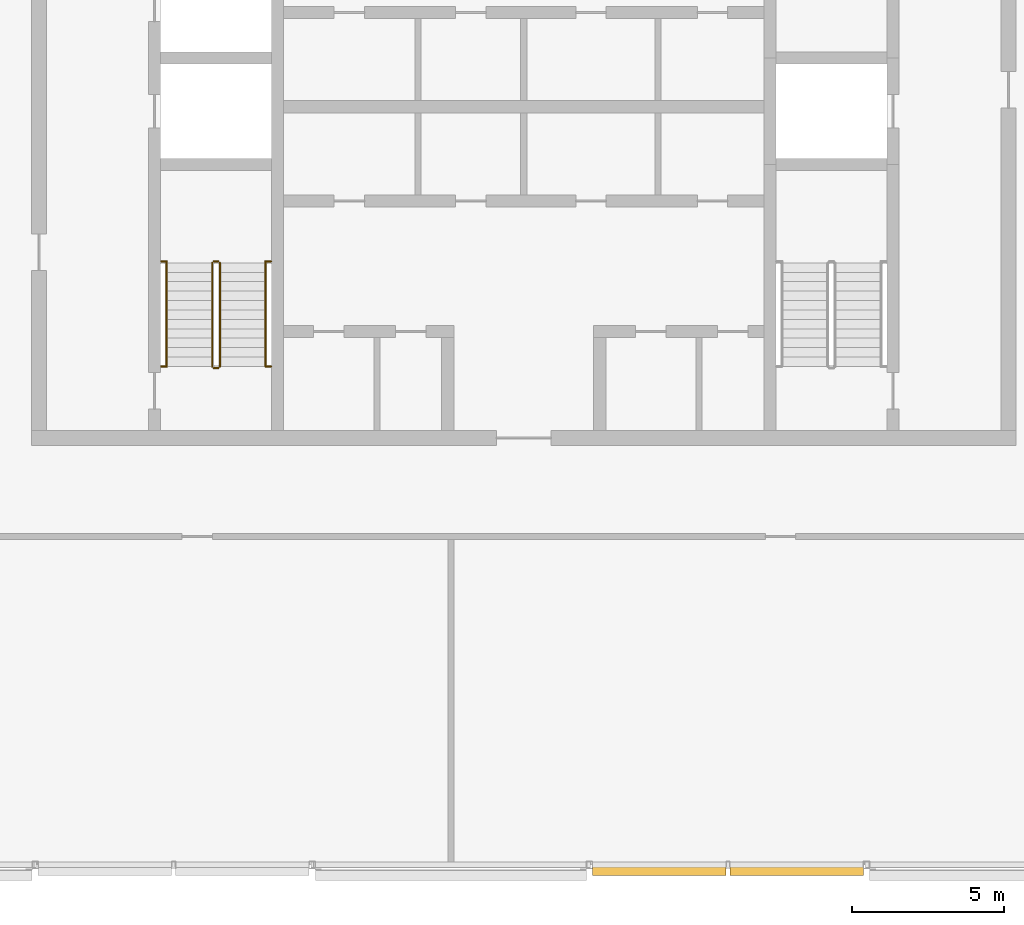
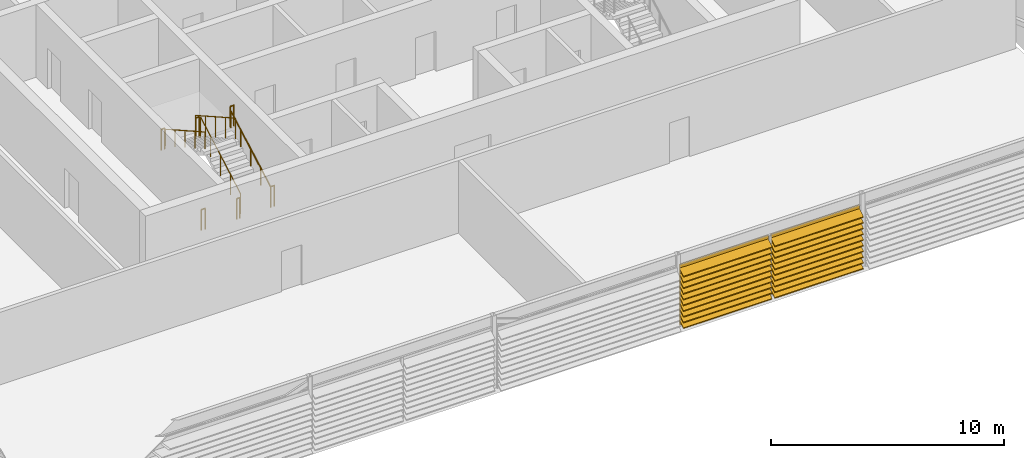
# One storey, part 25 of 28: 10 railings, 2 shading devices.
"""IFC4 building model written with IfcOpenShell, lengths in metres."""

from ifc_helpers import new_model, si_unit, direction, frame, origin, origin_2d, place, context, subcontext, project, spatial, polyline, circle, outline, extrude, material, type_object, element, save


model = new_model("IFC4")

# Units and contexts
model_context = context("Model", 3, precision=1e-05, world=origin(), true_north=direction((0.0, 1.0)))
body_context = subcontext(model_context, "Body", "Model", "MODEL_VIEW")
ifc_project = project(units=[si_unit("LENGTHUNIT", "METRE"), si_unit("AREAUNIT", "SQUARE_METRE"), si_unit("VOLUMEUNIT", "CUBIC_METRE"), si_unit("PLANEANGLEUNIT", "RADIAN"), si_unit("MASSUNIT", "GRAM", prefix="KILO")], contexts=[model_context])

# Site, building, storey
site_placement = place(None, origin())
site = spatial("IfcSite", under=ifc_project, at=site_placement, CompositionType="ELEMENT")
building_placement = place(site_placement, origin())
building = spatial("IfcBuilding", under=site, at=building_placement, Name="Madar Terraces", CompositionType="ELEMENT")
storey_placement = place(building_placement, frame((0.0, 0.0, 310.10009765625)))
storey = spatial("IfcBuildingStorey", under=building, at=storey_placement, Name="L80", CompositionType="ELEMENT", Elevation=310.10009765625)

# Shading devices
ifc_material_1 = material(Name="Aluminium, black anodised", Category="aluminium")
shading_device_type = type_object("IfcShadingDeviceType", Name="Crown louvre bank", PredefinedType="USERDEFINED", material=ifc_material_1)
shading_device_1_placement = place(storey_placement, frame((33.461669921875, 1.199951171875, 0.0), z_axis=(1.0, 0.0, 0.0), x_axis=(0.0, 1.0, 0.0)))
element("IfcShadingDevice", 1, at=shading_device_1_placement, inside=storey, type_object=shading_device_type, Name="LOUVRE bank L80 4.1", ObjectType="LOUVRE", PredefinedType="USERDEFINED", context=body_context, shape_type="SweptSolid", body=[
    extrude(outline(polyline([(0.014892578125, 0.0), (-0.014892578125, 0.0), (-0.014892578125, 0.24951171875), (-0.3427734375, 0.02001953125), (-0.3427734375, 0.06884765625), (-0.014892578125, 0.29833984375), (-0.014892578125, 0.54931640625), (-0.3427734375, 0.320068359375), (-0.3427734375, 0.368896484375), (-0.014892578125, 0.59814453125), (-0.014892578125, 0.849365234375), (-0.3427734375, 0.6201171875), (-0.3427734375, 0.6689453125), (-0.014892578125, 0.898193359375), (-0.014892578125, 1.1494140625), (-0.3427734375, 0.919921875), (-0.3427734375, 0.96875), (-0.014892578125, 1.1982421875), (-0.014892578125, 1.449462890625), (-0.3427734375, 1.219970703125), (-0.3427734375, 1.268798828125), (-0.014892578125, 1.498291015625), (-0.014892578125, 1.74951171875), (-0.3427734375, 1.52001953125), (-0.3427734375, 1.56884765625), (-0.014892578125, 1.79833984375), (-0.014892578125, 2.04931640625), (-0.3427734375, 1.820068359375), (-0.3427734375, 1.868896484375), (-0.014892578125, 2.09814453125), (-0.014892578125, 2.349365234375), (-0.3427734375, 2.1201171875), (-0.3427734375, 2.1689453125), (-0.014892578125, 2.398193359375), (-0.014892578125, 2.6494140625), (-0.3427734375, 2.419921875), (-0.3427734375, 2.46875), (-0.014892578125, 2.6982421875), (-0.014892578125, 2.949462890625), (-0.3427734375, 2.719970703125), (-0.3427734375, 2.768798828125), (-0.014892578125, 2.998291015625), (-0.014892578125, 3.197998046875), (0.014892578125, 3.197998046875), (0.014892578125, 0.0)])), origin(), (0.0, 0.0, 1.0), 4.394775390625),
])
shading_device_2_placement = place(storey_placement, frame((37.9833984375, 1.199951171875, 0.0), z_axis=(1.0, 0.0, 0.0), x_axis=(0.0, 1.0, 0.0)))
element("IfcShadingDevice", 2, at=shading_device_2_placement, inside=storey, type_object=shading_device_type, Name="LOUVRE bank L80 4.2", ObjectType="LOUVRE", PredefinedType="USERDEFINED", context=body_context, shape_type="SweptSolid", body=[
    extrude(outline(polyline([(0.014892578125, 0.0), (-0.014892578125, 0.0), (-0.014892578125, 0.24951171875), (-0.3427734375, 0.02001953125), (-0.3427734375, 0.06884765625), (-0.014892578125, 0.29833984375), (-0.014892578125, 0.54931640625), (-0.3427734375, 0.320068359375), (-0.3427734375, 0.368896484375), (-0.014892578125, 0.59814453125), (-0.014892578125, 0.849365234375), (-0.3427734375, 0.6201171875), (-0.3427734375, 0.6689453125), (-0.014892578125, 0.898193359375), (-0.014892578125, 1.1494140625), (-0.3427734375, 0.919921875), (-0.3427734375, 0.96875), (-0.014892578125, 1.1982421875), (-0.014892578125, 1.449462890625), (-0.3427734375, 1.219970703125), (-0.3427734375, 1.268798828125), (-0.014892578125, 1.498291015625), (-0.014892578125, 1.74951171875), (-0.3427734375, 1.52001953125), (-0.3427734375, 1.56884765625), (-0.014892578125, 1.79833984375), (-0.014892578125, 2.04931640625), (-0.3427734375, 1.820068359375), (-0.3427734375, 1.868896484375), (-0.014892578125, 2.09814453125), (-0.014892578125, 2.349365234375), (-0.3427734375, 2.1201171875), (-0.3427734375, 2.1689453125), (-0.014892578125, 2.398193359375), (-0.014892578125, 2.6494140625), (-0.3427734375, 2.419921875), (-0.3427734375, 2.46875), (-0.014892578125, 2.6982421875), (-0.014892578125, 2.949462890625), (-0.3427734375, 2.719970703125), (-0.3427734375, 2.768798828125), (-0.014892578125, 2.998291015625), (-0.014892578125, 3.197998046875), (0.014892578125, 3.197998046875), (0.014892578125, 0.0)])), origin(), (0.0, 0.0, 1.0), 4.39501953125),
])

# Railings
ifc_material_2 = material(Name="Stainless steel railing", Category="steel")
railing_type_1 = type_object("IfcRailingType", Name="Stair guard 1100", PredefinedType="GUARDRAIL", material=ifc_material_2)
railing_1_placement = place(storey_placement, frame((21.199951171875, 17.60009765625, 0.1748046875)))
element("IfcRailing", 3, at=railing_1_placement, inside=storey, type_object=railing_type_1, Name="L80 ST1 stair guard 1", PredefinedType="GUARDRAIL", context=body_context, shape_type="SweptSolid", body=[
    extrude(circle(Radius=0.02392578125, at=origin_2d()), frame((0.0, 0.0, 1.076171875), z_axis=(0.0, 0.87081354652, 0.491613432685), x_axis=(-1.0, 0.0, 0.0)), (0.0, 0.0, 1.0), 3.915771484375),
    extrude(circle(Radius=0.02099609375, at=origin_2d()), origin(), (0.0, 0.0, 1.0), 1.052001953125),
    extrude(circle(Radius=0.02099609375, at=origin_2d()), frame((0.0, 0.8525390625, 0.481201171875)), (0.0, 0.0, 1.0), 1.052001953125),
    extrude(circle(Radius=0.02099609375, at=origin_2d()), frame((0.0, 1.705078125, 0.96240234375)), (0.0, 0.0, 1.0), 1.052001953125),
    extrude(circle(Radius=0.02099609375, at=origin_2d()), frame((0.0, 2.557373046875, 1.44384765625)), (0.0, 0.0, 1.0), 1.052001953125),
    extrude(circle(Radius=0.02099609375, at=origin_2d()), frame((0.0, 3.409912109375, 1.925048828125)), (0.0, 0.0, 1.0), 1.052001953125),
])
railing_2_placement = place(storey_placement, frame((21.14990234375, 21.06005859375, 2.099853515625)))
element("IfcRailing", 4, at=railing_2_placement, inside=storey, type_object=railing_type_1, Name="L80 ST1 stair guard 2", PredefinedType="GUARDRAIL", context=body_context, shape_type="SweptSolid", body=[
    extrude(circle(Radius=0.02392578125, at=origin_2d()), frame((0.0, 0.0, 1.076171875), z_axis=(-1.0, 0.0, 0.0), x_axis=(0.0, -1.0, 0.0)), (0.0, 0.0, 1.0), 0.14990234375),
    extrude(circle(Radius=0.02099609375, at=origin_2d()), origin(), (0.0, 0.0, 1.0), 1.052001953125),
    extrude(circle(Radius=0.02099609375, at=origin_2d()), frame((-0.14990234375, 0.0, 0.0)), (0.0, 0.0, 1.0), 1.052001953125),
])
railing_3_placement = place(storey_placement, frame((20.949951171875, 21.010009765625, 2.27490234375)))
element("IfcRailing", 5, at=railing_3_placement, inside=storey, type_object=railing_type_1, Name="L80 ST1 stair guard 3", PredefinedType="GUARDRAIL", context=body_context, shape_type="SweptSolid", body=[
    extrude(circle(Radius=0.02392578125, at=origin_2d()), frame((0.0, 0.0, 1.076171875), z_axis=(0.0, -0.87081354652, 0.491613432685), x_axis=(1.0, 0.0, 0.0)), (0.0, 0.0, 1.0), 3.915771484375),
    extrude(circle(Radius=0.02099609375, at=origin_2d()), origin(), (0.0, 0.0, 1.0), 1.052001953125),
    extrude(circle(Radius=0.02099609375, at=origin_2d()), frame((0.0, -0.8525390625, 0.481201171875)), (0.0, 0.0, 1.0), 1.052001953125),
    extrude(circle(Radius=0.02099609375, at=origin_2d()), frame((0.0, -1.705078125, 0.96240234375)), (0.0, 0.0, 1.0), 1.052001953125),
    extrude(circle(Radius=0.02099609375, at=origin_2d()), frame((0.0, -2.557373046875, 1.44384765625)), (0.0, 0.0, 1.0), 1.052001953125),
    extrude(circle(Radius=0.02099609375, at=origin_2d()), frame((0.0, -3.409912109375, 1.925048828125)), (0.0, 0.0, 1.0), 1.052001953125),
])
railing_4_placement = place(storey_placement, frame((21.14990234375, 17.550048828125, 0.0)))
element("IfcRailing", 6, at=railing_4_placement, inside=storey, type_object=railing_type_1, Name="L80 ST1 stair guard 4", PredefinedType="GUARDRAIL", context=body_context, shape_type="SweptSolid", body=[
    extrude(circle(Radius=0.02392578125, at=origin_2d()), frame((0.0, 0.0, 1.076171875), z_axis=(-1.0, 0.0, 0.0), x_axis=(0.0, -1.0, 0.0)), (0.0, 0.0, 1.0), 0.14990234375),
    extrude(circle(Radius=0.02099609375, at=origin_2d()), origin(), (0.0, 0.0, 1.0), 1.052001953125),
    extrude(circle(Radius=0.02099609375, at=origin_2d()), frame((-0.14990234375, 0.0, 0.0)), (0.0, 0.0, 1.0), 1.052001953125),
])
for number, where, name in (
    (7, (19.27001953125, 21.06005859375, 2.099853515625), "L80 stair guard seat 1"),
    (8, (22.699951171875, 21.06005859375, 2.099853515625), "L80 stair guard seat 2"),
    (9, (19.27001953125, 17.60009765625, 0.0), "L80 stair guard floor 1"),
    (10, (22.699951171875, 17.60009765625, 0.0), "L80 stair guard floor 2"),
):
    element("IfcRailing", number, at=place(storey_placement, frame(where)), inside=storey, type_object=railing_type_1, Name=name, PredefinedType="GUARDRAIL", context=body_context, shape_type="SweptSolid", body=[
        extrude(circle(Radius=0.02392578125, at=origin_2d()), frame((0.0, 0.0, 1.076171875), z_axis=(1.0, 0.0, 0.0), x_axis=(0.0, 1.0, 0.0)), (0.0, 0.0, 1.0), 0.179931640625),
        extrude(circle(Radius=0.02099609375, at=origin_2d()), origin(), (0.0, 0.0, 1.0), 1.052001953125),
        extrude(circle(Radius=0.02099609375, at=origin_2d()), frame((0.179931640625, 0.0, 0.0)), (0.0, 0.0, 1.0), 1.052001953125),
    ])
ifc_material_3 = material(Name="Stainless steel railing", Category="steel")
railing_type_2 = type_object("IfcRailingType", Name="Stair handrail 900", PredefinedType="HANDRAIL", material=ifc_material_3)
railing_5_placement = place(storey_placement, frame((22.699951171875, 17.60009765625, 0.1748046875)))
element("IfcRailing", 11, at=railing_5_placement, inside=storey, type_object=railing_type_2, Name="L80 ST1 stair handrail 1", PredefinedType="HANDRAIL", context=body_context, shape_type="SweptSolid", body=[
    extrude(circle(Radius=0.02392578125, at=origin_2d()), frame((0.0, 0.0, 0.8759765625), z_axis=(0.0, 0.87081354652, 0.491613432685), x_axis=(-1.0, 0.0, 0.0)), (0.0, 0.0, 1.0), 3.915771484375),
    extrude(circle(Radius=0.02099609375, at=origin_2d()), origin(), (0.0, 0.0, 1.0), 0.851806640625),
    extrude(circle(Radius=0.02099609375, at=origin_2d()), frame((0.0, 0.8525390625, 0.481201171875)), (0.0, 0.0, 1.0), 0.851806640625),
    extrude(circle(Radius=0.02099609375, at=origin_2d()), frame((0.0, 1.705078125, 0.96240234375)), (0.0, 0.0, 1.0), 0.851806640625),
    extrude(circle(Radius=0.02099609375, at=origin_2d()), frame((0.0, 2.557373046875, 1.44384765625)), (0.0, 0.0, 1.0), 0.851806640625),
    extrude(circle(Radius=0.02099609375, at=origin_2d()), frame((0.0, 3.409912109375, 1.925048828125)), (0.0, 0.0, 1.0), 0.851806640625),
])
railing_6_placement = place(storey_placement, frame((19.449951171875, 21.010009765625, 2.27490234375)))
element("IfcRailing", 12, at=railing_6_placement, inside=storey, type_object=railing_type_2, Name="L80 ST1 stair handrail 2", PredefinedType="HANDRAIL", context=body_context, shape_type="SweptSolid", body=[
    extrude(circle(Radius=0.02392578125, at=origin_2d()), frame((0.0, 0.0, 0.8759765625), z_axis=(0.0, -0.87081354652, 0.491613432685), x_axis=(1.0, 0.0, 0.0)), (0.0, 0.0, 1.0), 3.915771484375),
    extrude(circle(Radius=0.02099609375, at=origin_2d()), origin(), (0.0, 0.0, 1.0), 0.851806640625),
    extrude(circle(Radius=0.02099609375, at=origin_2d()), frame((0.0, -0.8525390625, 0.481201171875)), (0.0, 0.0, 1.0), 0.851806640625),
    extrude(circle(Radius=0.02099609375, at=origin_2d()), frame((0.0, -1.705078125, 0.96240234375)), (0.0, 0.0, 1.0), 0.851806640625),
    extrude(circle(Radius=0.02099609375, at=origin_2d()), frame((0.0, -2.557373046875, 1.44384765625)), (0.0, 0.0, 1.0), 0.851806640625),
    extrude(circle(Radius=0.02099609375, at=origin_2d()), frame((0.0, -3.409912109375, 1.925048828125)), (0.0, 0.0, 1.0), 0.851806640625),
])

save(model, "model.ifc")
